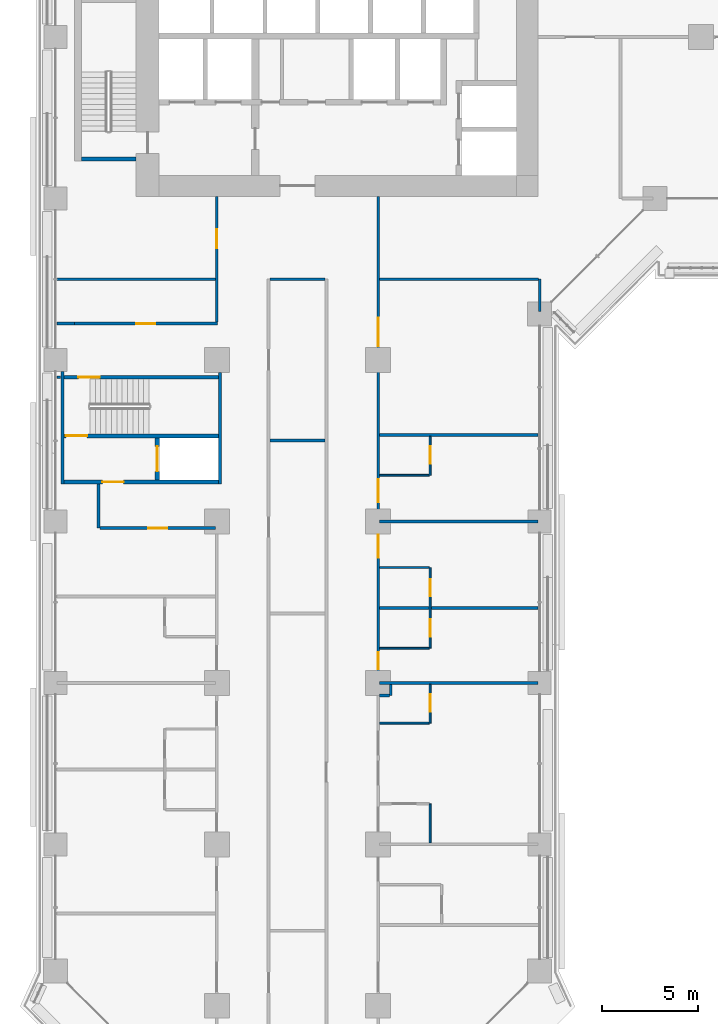
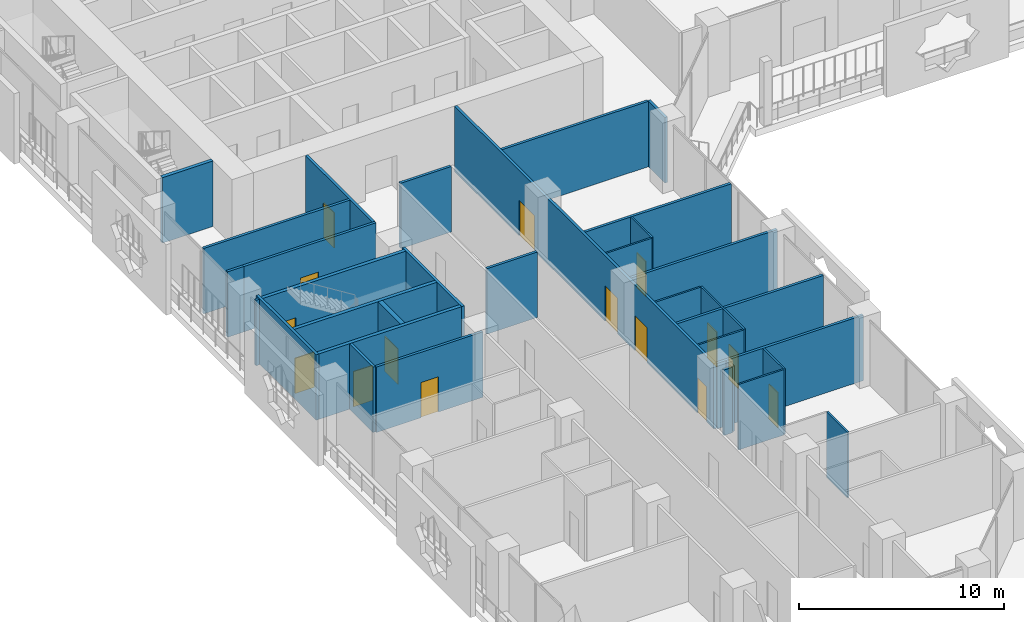
# One storey, part 14 of 27: 33 walls, 15 doors, 15 openings.
"""IFC4 building model written with IfcOpenShell, lengths in metres."""

from ifc_helpers import new_model, si_unit, direction, frame, frame_2d, origin, place, context, subcontext, project, spatial, rectangle, extrude, material, layer, layer_set, type_object, element, fill, save


model = new_model("IFC4")

# Units and contexts
model_context = context("Model", 3, precision=1e-05, world=origin(), true_north=direction((0.0, 1.0)))
body_context = subcontext(model_context, "Body", "Model", "MODEL_VIEW")
ifc_project = project(units=[si_unit("LENGTHUNIT", "METRE"), si_unit("AREAUNIT", "SQUARE_METRE"), si_unit("VOLUMEUNIT", "CUBIC_METRE"), si_unit("PLANEANGLEUNIT", "RADIAN"), si_unit("MASSUNIT", "GRAM", prefix="KILO")], contexts=[model_context])

# Site, building, storey
site_placement = place(None, origin())
site = spatial("IfcSite", under=ifc_project, at=site_placement, CompositionType="ELEMENT")
building_placement = place(site_placement, origin())
building = spatial("IfcBuilding", under=site, at=building_placement, Name="Kawkab Arch Medical Tower", CompositionType="ELEMENT")
storey_placement = place(building_placement, frame((0.0, 0.0, 85.39990234375)))
storey = spatial("IfcBuildingStorey", under=building, at=storey_placement, Name="L19", CompositionType="ELEMENT", Elevation=85.39990234375)

# Wall, opening, door
ifc_material_1 = material(Name="Concrete C60/75", Category="concrete")
ifc_layer_1 = layer(ifc_material_1, 0.25)
ifc_layer_set_1 = layer_set([ifc_layer_1], Name="Concrete C60/75")
wall_type_1 = type_object("IfcWallType", Name="Core shear wall 250 C60/75", PredefinedType="SHEAR", material=ifc_layer_set_1)
wall_1_placement = place(storey_placement, frame((5.300048828125, -39.85009765625, 0.0), z_axis=(0.0, 0.0, 1.0), x_axis=(0.0, 1.0, 0.0)))
wall_1 = element("IfcWall", 1, at=wall_1_placement, inside=storey, type_object=wall_type_1, Name="L19 core shear wall", PredefinedType="SHEAR", context=body_context, shape_type="SweptSolid", body=[
    extrude(rectangle(XDim=2.2001953125, YDim=0.25, at=frame_2d((1.10009765625, 0.0))), origin(), (0.0, 0.0, 1.0), 3.900146484375),
])
opening_1_placement = place(wall_1_placement, frame((0.449951171875, 0.0, 0.0)))
opening_1 = element("IfcOpeningElement", 2, at=opening_1_placement, cuts=wall_1, Name="Opening LD2", PredefinedType="OPENING", context=body_context, shape_type="SweptSolid", body=[
    extrude(rectangle(XDim=1.300048828125, YDim=2.10009765625, at=frame_2d((0.64990234375, 1.050048828125))), frame((0.0, 0.135009765625, 0.0), z_axis=(0.0, -1.0, 0.0), x_axis=(1.0, 0.0, 0.0)), (0.0, 0.0, 1.0), 0.27001953125),
])
ifc_material_2 = material(Name="Stainless steel lift door leaf", Category="steel")
door_type_1 = type_object("IfcDoorType", Name="Lift landing door 1300", OperationType="DOUBLE_DOOR_SLIDING", PredefinedType="DOOR", material=ifc_material_2)
door_1_placement = place(opening_1_placement, origin())
door_1 = element("IfcDoor", 3, at=door_1_placement, inside=storey, type_object=door_type_1, Name="L19 Lift landing door SV2", OperationType="DOUBLE_DOOR_SLIDING", OverallHeight=2.10009765625, OverallWidth=1.300048828125, PredefinedType="DOOR", context=body_context, shape_type="SweptSolid", body=[
    extrude(rectangle(XDim=1.300048828125, YDim=2.10009765625, at=frame_2d((0.64990234375, 1.050048828125))), frame((0.0, 0.02490234375, 0.0), z_axis=(0.0, -1.0, 0.0), x_axis=(1.0, 0.0, 0.0)), (0.0, 0.0, 1.0), 0.050048828125),
])
fill(opening_1, door_1)

# Walls
ifc_material_3 = material(Name="Gypsum board partition on steel studs", Category="steel")
ifc_layer_2 = layer(ifc_material_3, 0.10009765625)
ifc_layer_set_2 = layer_set([ifc_layer_2], Name="Gypsum board partition on steel studs")
wall_type_2 = type_object("IfcWallType", Name="Partition 100", PredefinedType="PARTITIONING", material=ifc_layer_set_2)
for number, where, z_axis, x_axis, name in (
    (4, (16.875, -52.5, 0.0), (0.0, 0.0, 1.0), (1.0, 0.0, 0.0), "Partition 100 w005"),
    (5, (16.875, -48.60009765625, 0.0), (0.0, 0.0, 1.0), (1.0, 0.0, 0.0), "Partition 100 w006"),
    (6, (16.875, -44.39990234375, 0.0), (0.0, 0.0, 1.0), (1.0, 0.0, 0.0), "Partition 100 w008"),
    (7, (16.875, -39.60009765625, 0.0), (0.0, 0.0, 1.0), (1.0, 0.0, 0.0), "Partition 100 w009"),
):
    element("IfcWall", number, at=place(storey_placement, frame(where, z_axis=z_axis, x_axis=x_axis)), inside=storey, type_object=wall_type_2, Name=name, PredefinedType="PARTITIONING", context=body_context, shape_type="SweptSolid", body=[
        extrude(rectangle(XDim=2.574951171875, YDim=0.10009765625, at=frame_2d((1.28759765625, 0.0))), origin(), (0.0, 0.0, 1.0), 3.900146484375),
    ])
wall_2_placement = place(storey_placement, frame((19.5, -58.72509765625, 0.0), z_axis=(0.0, 0.0, 1.0), x_axis=(0.0, 1.0, 0.0)))
element("IfcWall", 8, at=wall_2_placement, inside=storey, type_object=wall_type_2, Name="Partition 100 w022", PredefinedType="PARTITIONING", context=body_context, shape_type="SweptSolid", body=[
    extrude(rectangle(XDim=2.025146484375, YDim=0.10009765625, at=frame_2d((1.0126953125, 0.0))), origin(), (0.0, 0.0, 1.0), 3.900146484375),
])

# Wall, opening, door
wall_3_placement = place(storey_placement, frame((19.5, -52.5, 0.0), z_axis=(0.0, 0.0, 1.0), x_axis=(0.0, 1.0, 0.0)))
wall_3 = element("IfcWall", 9, at=wall_3_placement, inside=storey, type_object=wall_type_2, Name="Partition 100 w023", PredefinedType="PARTITIONING", context=body_context, shape_type="SweptSolid", body=[
    extrude(rectangle(XDim=2.02490234375, YDim=0.10009765625, at=frame_2d((1.012451171875, 0.0))), origin(), (0.0, 0.0, 1.0), 3.900146484375),
])
opening_2_placement = place(wall_3_placement, frame((0.60009765625, 0.0, 0.0)))
opening_2 = element("IfcOpeningElement", 10, at=opening_2_placement, cuts=wall_3, Name="Opening W15B-026", PredefinedType="OPENING", context=body_context, shape_type="SweptSolid", body=[
    extrude(rectangle(XDim=0.89990234375, YDim=2.10009765625, at=frame_2d((0.449951171875, 1.050048828125))), frame((0.0, 0.06005859375, 0.0), z_axis=(0.0, -1.0, 0.0), x_axis=(1.0, 0.0, 0.0)), (0.0, 0.0, 1.0), 0.1201171875),
])
ifc_material_4 = material(Name="Timber door leaf", Category="wood")
door_type_2 = type_object("IfcDoorType", Name="Single door 900x2100", OperationType="NOTDEFINED", PredefinedType="DOOR", material=ifc_material_4)
door_2_placement = place(opening_2_placement, origin())
door_2 = element("IfcDoor", 11, at=door_2_placement, inside=storey, type_object=door_type_2, Name="Door W15B-026", OperationType="SINGLE_SWING_RIGHT", OverallHeight=2.10009765625, OverallWidth=0.89990234375, PredefinedType="DOOR", context=body_context, shape_type="SweptSolid", body=[
    extrude(rectangle(XDim=0.89990234375, YDim=2.10009765625, at=frame_2d((0.449951171875, 1.050048828125))), frame((0.0, 0.02490234375, 0.0), z_axis=(0.0, -1.0, 0.0), x_axis=(1.0, 0.0, 0.0)), (0.0, 0.0, 1.0), 0.050048828125),
])
fill(opening_2, door_2)

# Wall, openings, doors
wall_4_placement = place(storey_placement, frame((19.5, -48.60009765625, 0.0), z_axis=(0.0, 0.0, 1.0), x_axis=(0.0, 1.0, 0.0)))
wall_4 = element("IfcWall", 12, at=wall_4_placement, inside=storey, type_object=wall_type_2, Name="Partition 100 w024", PredefinedType="PARTITIONING", context=body_context, shape_type="SweptSolid", body=[
    extrude(rectangle(XDim=4.2001953125, YDim=0.10009765625, at=frame_2d((2.10009765625, 0.0))), origin(), (0.0, 0.0, 1.0), 3.900146484375),
])
opening_3_placement = place(wall_4_placement, frame((2.699951171875, 0.0, 0.0)))
opening_3 = element("IfcOpeningElement", 13, at=opening_3_placement, cuts=wall_4, Name="Opening W15B-024", PredefinedType="OPENING", context=body_context, shape_type="SweptSolid", body=[
    extrude(rectangle(XDim=0.89990234375, YDim=2.10009765625, at=frame_2d((0.449951171875, 1.050048828125))), frame((0.0, 0.06005859375, 0.0), z_axis=(0.0, -1.0, 0.0), x_axis=(1.0, 0.0, 0.0)), (0.0, 0.0, 1.0), 0.1201171875),
])
opening_4_placement = place(wall_4_placement, frame((0.60009765625, 0.0, 0.0)))
opening_4 = element("IfcOpeningElement", 14, at=opening_4_placement, cuts=wall_4, Name="Opening W15B-025", PredefinedType="OPENING", context=body_context, shape_type="SweptSolid", body=[
    extrude(rectangle(XDim=0.89990234375, YDim=2.10009765625, at=frame_2d((0.449951171875, 1.050048828125))), frame((0.0, 0.06005859375, 0.0), z_axis=(0.0, -1.0, 0.0), x_axis=(1.0, 0.0, 0.0)), (0.0, 0.0, 1.0), 0.1201171875),
])
door_3_placement = place(opening_3_placement, origin())
door_3 = element("IfcDoor", 15, at=door_3_placement, inside=storey, type_object=door_type_2, Name="Door W15B-024", OperationType="SINGLE_SWING_LEFT", OverallHeight=2.10009765625, OverallWidth=0.89990234375, PredefinedType="DOOR", context=body_context, shape_type="SweptSolid", body=[
    extrude(rectangle(XDim=0.89990234375, YDim=2.10009765625, at=frame_2d((0.449951171875, 1.050048828125))), frame((0.0, 0.02490234375, 0.0), z_axis=(0.0, -1.0, 0.0), x_axis=(1.0, 0.0, 0.0)), (0.0, 0.0, 1.0), 0.050048828125),
])
fill(opening_3, door_3)
door_4_placement = place(opening_4_placement, origin())
door_4 = element("IfcDoor", 16, at=door_4_placement, inside=storey, type_object=door_type_2, Name="Door W15B-025", OperationType="SINGLE_SWING_RIGHT", OverallHeight=2.10009765625, OverallWidth=0.89990234375, PredefinedType="DOOR", context=body_context, shape_type="SweptSolid", body=[
    extrude(rectangle(XDim=0.89990234375, YDim=2.10009765625, at=frame_2d((0.449951171875, 1.050048828125))), frame((0.0, 0.02490234375, 0.0), z_axis=(0.0, -1.0, 0.0), x_axis=(1.0, 0.0, 0.0)), (0.0, 0.0, 1.0), 0.050048828125),
])
fill(opening_4, door_4)

# Wall, opening, door
wall_5_placement = place(storey_placement, frame((19.5, -39.60009765625, 0.0), z_axis=(0.0, 0.0, 1.0), x_axis=(0.0, 1.0, 0.0)))
wall_5 = element("IfcWall", 17, at=wall_5_placement, inside=storey, type_object=wall_type_2, Name="Partition 100 w025", PredefinedType="PARTITIONING", context=body_context, shape_type="SweptSolid", body=[
    extrude(rectangle(XDim=2.025146484375, YDim=0.10009765625, at=frame_2d((1.0126953125, 0.0))), origin(), (0.0, 0.0, 1.0), 3.900146484375),
])
opening_5_placement = place(wall_5_placement, frame((0.60009765625, 0.0, 0.0)))
opening_5 = element("IfcOpeningElement", 18, at=opening_5_placement, cuts=wall_5, Name="Opening W15B-023", PredefinedType="OPENING", context=body_context, shape_type="SweptSolid", body=[
    extrude(rectangle(XDim=0.89990234375, YDim=2.10009765625, at=frame_2d((0.449951171875, 1.050048828125))), frame((0.0, 0.06005859375, 0.0), z_axis=(0.0, -1.0, 0.0), x_axis=(1.0, 0.0, 0.0)), (0.0, 0.0, 1.0), 0.1201171875),
])
door_5_placement = place(opening_5_placement, origin())
door_5 = element("IfcDoor", 19, at=door_5_placement, inside=storey, type_object=door_type_2, Name="Door W15B-023", OperationType="SINGLE_SWING_LEFT", OverallHeight=2.10009765625, OverallWidth=0.89990234375, PredefinedType="DOOR", context=body_context, shape_type="SweptSolid", body=[
    extrude(rectangle(XDim=0.89990234375, YDim=2.10009765625, at=frame_2d((0.449951171875, 1.050048828125))), frame((0.0, 0.02490234375, 0.0), z_axis=(0.0, -1.0, 0.0), x_axis=(1.0, 0.0, 0.0)), (0.0, 0.0, 1.0), 0.050048828125),
])
fill(opening_5, door_5)

# Walls
ifc_material_5 = material(Name="Gypsum board partition on steel studs, mineral wool", Category="steel")
ifc_layer_3 = layer(ifc_material_5, 0.14990234375)
ifc_layer_set_3 = layer_set([ifc_layer_3], Name="Gypsum board partition on steel studs, mineral wool")
wall_type_3 = type_object("IfcWallType", Name="Partition 150", PredefinedType="PARTITIONING", material=ifc_layer_set_3)
wall_6_placement = place(storey_placement, frame((16.876953125, -51.050048828125, 0.0), z_axis=(0.0, 0.0, 1.0), x_axis=(1.0, 0.0, 0.0)))
element("IfcWall", 20, at=wall_6_placement, inside=storey, type_object=wall_type_3, Name="Partition 150 w045", PredefinedType="PARTITIONING", context=body_context, shape_type="SweptSolid", body=[
    extrude(rectangle(XDim=0.498046875, YDim=0.14990234375, at=frame_2d((0.2490234375, 0.0))), origin(), (0.0, 0.0, 1.0), 3.900146484375),
])
wall_7_placement = place(storey_placement, frame((16.876953125, -50.39990234375, 0.0), z_axis=(0.0, 0.0, 1.0), x_axis=(1.0, 0.0, 0.0)))
element("IfcWall", 21, at=wall_7_placement, inside=storey, type_object=wall_type_3, Name="Partition 150 w047", PredefinedType="PARTITIONING", context=body_context, shape_type="SweptSolid", body=[
    extrude(rectangle(XDim=8.2431640625, YDim=0.14990234375, at=frame_2d((4.12158203125, 0.0))), origin(), (0.0, 0.0, 1.0), 3.900146484375),
])
wall_8_placement = place(storey_placement, frame((16.875, -46.5, 0.0), z_axis=(0.0, 0.0, 1.0), x_axis=(1.0, 0.0, 0.0)))
element("IfcWall", 22, at=wall_8_placement, inside=storey, type_object=wall_type_3, Name="Partition 150 w049", PredefinedType="PARTITIONING", context=body_context, shape_type="SweptSolid", body=[
    extrude(rectangle(XDim=8.2451171875, YDim=0.14990234375, at=frame_2d((4.12255859375, 0.0))), origin(), (0.0, 0.0, 1.0), 3.900146484375),
])

# Wall, opening, door
wall_9_placement = place(storey_placement, frame((2.326904296875, -42.35009765625, 0.0), z_axis=(0.0, 0.0, 1.0), x_axis=(1.0, 0.0, 0.0)))
wall_9 = element("IfcWall", 23, at=wall_9_placement, inside=storey, type_object=wall_type_3, Name="Partition 150 w051", PredefinedType="PARTITIONING", context=body_context, shape_type="SweptSolid", body=[
    extrude(rectangle(XDim=5.998046875, YDim=0.14990234375, at=frame_2d((2.9990234375, 0.0))), origin(), (0.0, 0.0, 1.0), 3.900146484375),
])
opening_6_placement = place(wall_9_placement, frame((2.4990234375, 0.0, 0.0)))
opening_6 = element("IfcOpeningElement", 24, at=opening_6_placement, cuts=wall_9, Name="Opening W15B-040", PredefinedType="OPENING", context=body_context, shape_type="SweptSolid", body=[
    extrude(rectangle(XDim=1.0, YDim=2.10009765625, at=frame_2d((0.5, 1.050048828125))), frame((0.0, 0.0849609375, 0.0), z_axis=(0.0, -1.0, 0.0), x_axis=(1.0, 0.0, 0.0)), (0.0, 0.0, 1.0), 0.169921875),
])
ifc_material_6 = material(Name="Hollow metal door leaf")
door_type_3 = type_object("IfcDoorType", Name="Single door 1000x2100 FD30S", OperationType="NOTDEFINED", PredefinedType="DOOR", material=ifc_material_6)
door_6_placement = place(opening_6_placement, origin())
door_6 = element("IfcDoor", 25, at=door_6_placement, inside=storey, type_object=door_type_3, Name="Door W15B-040", OperationType="SINGLE_SWING_RIGHT", OverallHeight=2.10009765625, OverallWidth=1.0, PredefinedType="DOOR", context=body_context, shape_type="SweptSolid", body=[
    extrude(rectangle(XDim=1.0, YDim=2.10009765625, at=frame_2d((0.5, 1.050048828125))), frame((0.0, 0.02490234375, 0.0), z_axis=(0.0, -1.0, 0.0), x_axis=(1.0, 0.0, 0.0)), (0.0, 0.0, 1.0), 0.050048828125),
])
fill(opening_6, door_6)

# Walls
wall_10_placement = place(storey_placement, frame((16.875, -42.0, 0.0), z_axis=(0.0, 0.0, 1.0), x_axis=(1.0, 0.0, 0.0)))
element("IfcWall", 26, at=wall_10_placement, inside=storey, type_object=wall_type_3, Name="Partition 150 w052", PredefinedType="PARTITIONING", context=body_context, shape_type="SweptSolid", body=[
    extrude(rectangle(XDim=8.2451171875, YDim=0.14990234375, at=frame_2d((4.12255859375, 0.0))), origin(), (0.0, 0.0, 1.0), 3.900146484375),
])
wall_11_placement = place(storey_placement, frame((11.175048828125, -37.800048828125, 0.0), z_axis=(0.0, 0.0, 1.0), x_axis=(1.0, 0.0, 0.0)))
element("IfcWall", 27, at=wall_11_placement, inside=storey, type_object=wall_type_3, Name="Partition 150 w053", PredefinedType="PARTITIONING", context=body_context, shape_type="SweptSolid", body=[
    extrude(rectangle(XDim=2.849853515625, YDim=0.14990234375, at=frame_2d((1.4248046875, 0.0))), origin(), (0.0, 0.0, 1.0), 3.900146484375),
])
wall_12_placement = place(storey_placement, frame((16.875, -37.5, 0.0), z_axis=(0.0, 0.0, 1.0), x_axis=(1.0, 0.0, 0.0)))
element("IfcWall", 28, at=wall_12_placement, inside=storey, type_object=wall_type_3, Name="Partition 150 w054", PredefinedType="PARTITIONING", context=body_context, shape_type="SweptSolid", body=[
    extrude(rectangle(XDim=8.2451171875, YDim=0.14990234375, at=frame_2d((4.12255859375, 0.0))), origin(), (0.0, 0.0, 1.0), 3.900146484375),
])
wall_13_placement = place(storey_placement, frame((0.080078125, -34.5, 0.0), z_axis=(0.0, 0.0, 1.0), x_axis=(1.0, 0.0, 0.0)))
element("IfcWall", 29, at=wall_13_placement, inside=storey, type_object=wall_type_3, Name="Partition 150 w055", PredefinedType="PARTITIONING", context=body_context, shape_type="SweptSolid", body=[
    extrude(rectangle(XDim=0.18994140625, YDim=0.14990234375, at=frame_2d((0.094970703125, 0.0))), origin(), (0.0, 0.0, 1.0), 3.900146484375),
])
wall_14_placement = place(storey_placement, frame((0.080078125, -31.70703125, 0.0), z_axis=(0.0, 0.0, 1.0), x_axis=(1.0, 0.0, 0.0)))
element("IfcWall", 30, at=wall_14_placement, inside=storey, type_object=wall_type_3, Name="Partition 150 w056", PredefinedType="PARTITIONING", context=body_context, shape_type="SweptSolid", body=[
    extrude(rectangle(XDim=0.919921875, YDim=0.14990234375, at=frame_2d((0.4599609375, 0.0))), origin(), (0.0, 0.0, 1.0), 3.900146484375),
])

# Wall, opening, door
wall_15_placement = place(storey_placement, frame((1.001953125, -31.70703125, 0.0), z_axis=(0.0, 0.0, 1.0), x_axis=(1.0, 0.0, 0.0)))
wall_15 = element("IfcWall", 31, at=wall_15_placement, inside=storey, type_object=wall_type_3, Name="Partition 150 w057", PredefinedType="PARTITIONING", context=body_context, shape_type="SweptSolid", body=[
    extrude(rectangle(XDim=7.447998046875, YDim=0.14990234375, at=frame_2d((3.72412109375, 0.0))), origin(), (0.0, 0.0, 1.0), 3.900146484375),
])
opening_7_placement = place(wall_15_placement, frame((3.198974609375, 0.0, 0.0)))
opening_7 = element("IfcOpeningElement", 32, at=opening_7_placement, cuts=wall_15, Name="Opening W15B-039", PredefinedType="OPENING", context=body_context, shape_type="SweptSolid", body=[
    extrude(rectangle(XDim=1.0, YDim=2.10009765625, at=frame_2d((0.5, 1.050048828125))), frame((0.0, 0.0849609375, 0.0), z_axis=(0.0, -1.0, 0.0), x_axis=(1.0, 0.0, 0.0)), (0.0, 0.0, 1.0), 0.169921875),
])
door_7_placement = place(opening_7_placement, origin())
door_7 = element("IfcDoor", 33, at=door_7_placement, inside=storey, type_object=door_type_3, Name="Door W15B-039", OperationType="SINGLE_SWING_RIGHT", OverallHeight=2.10009765625, OverallWidth=1.0, PredefinedType="DOOR", context=body_context, shape_type="SweptSolid", body=[
    extrude(rectangle(XDim=1.0, YDim=2.10009765625, at=frame_2d((0.5, 1.050048828125))), frame((0.0, 0.02490234375, 0.0), z_axis=(0.0, -1.0, 0.0), x_axis=(1.0, 0.0, 0.0)), (0.0, 0.0, 1.0), 0.050048828125),
])
fill(opening_7, door_7)

# Walls
wall_16_placement = place(storey_placement, frame((0.080078125, -29.39990234375, 0.0), z_axis=(0.0, 0.0, 1.0), x_axis=(1.0, 0.0, 0.0)))
element("IfcWall", 34, at=wall_16_placement, inside=storey, type_object=wall_type_3, Name="Partition 150 w058", PredefinedType="PARTITIONING", context=body_context, shape_type="SweptSolid", body=[
    extrude(rectangle(XDim=8.244873046875, YDim=0.14990234375, at=frame_2d((4.12255859375, 0.0))), origin(), (0.0, 0.0, 1.0), 3.900146484375),
])
wall_17_placement = place(storey_placement, frame((11.175048828125, -29.39990234375, 0.0), z_axis=(0.0, 0.0, 1.0), x_axis=(1.0, 0.0, 0.0)))
element("IfcWall", 35, at=wall_17_placement, inside=storey, type_object=wall_type_3, Name="Partition 150 w059", PredefinedType="PARTITIONING", context=body_context, shape_type="SweptSolid", body=[
    extrude(rectangle(XDim=2.849853515625, YDim=0.14990234375, at=frame_2d((1.4248046875, 0.0))), origin(), (0.0, 0.0, 1.0), 3.900146484375),
])
wall_18_placement = place(storey_placement, frame((16.875, -29.39990234375, 0.0), z_axis=(0.0, 0.0, 1.0), x_axis=(1.0, 0.0, 0.0)))
element("IfcWall", 36, at=wall_18_placement, inside=storey, type_object=wall_type_3, Name="Partition 150 w060", PredefinedType="PARTITIONING", context=body_context, shape_type="SweptSolid", body=[
    extrude(rectangle(XDim=8.25, YDim=0.14990234375, at=frame_2d((4.125, 0.0))), origin(), (0.0, 0.0, 1.0), 3.900146484375),
])
wall_19_placement = place(storey_placement, frame((2.25, -42.347900390625, 0.0), z_axis=(0.0, 0.0, 1.0), x_axis=(0.0, 1.0, 0.0)))
element("IfcWall", 37, at=wall_19_placement, inside=storey, type_object=wall_type_3, Name="Partition 150 w070", PredefinedType="PARTITIONING", context=body_context, shape_type="SweptSolid", body=[
    extrude(rectangle(XDim=2.2978515625, YDim=0.14990234375, at=frame_2d((1.14892578125, 0.0))), origin(), (0.0, 0.0, 1.0), 3.900146484375),
])

# Wall, opening, door
wall_20_placement = place(storey_placement, frame((8.39990234375, -31.632080078125, 0.0), z_axis=(0.0, 0.0, 1.0), x_axis=(0.0, 1.0, 0.0)))
wall_20 = element("IfcWall", 38, at=wall_20_placement, inside=storey, type_object=wall_type_3, Name="Partition 150 w072", PredefinedType="PARTITIONING", context=body_context, shape_type="SweptSolid", body=[
    extrude(rectangle(XDim=6.531982421875, YDim=0.14990234375, at=frame_2d((3.26611328125, 0.0))), origin(), (0.0, 0.0, 1.0), 3.900146484375),
])
opening_8_placement = place(wall_20_placement, frame((3.83203125, 0.0, 0.0)))
opening_8 = element("IfcOpeningElement", 39, at=opening_8_placement, cuts=wall_20, Name="Opening W15B-038", PredefinedType="OPENING", context=body_context, shape_type="SweptSolid", body=[
    extrude(rectangle(XDim=1.0, YDim=2.10009765625, at=frame_2d((0.5, 1.050048828125))), frame((0.0, 0.0849609375, 0.0), z_axis=(0.0, -1.0, 0.0), x_axis=(1.0, 0.0, 0.0)), (0.0, 0.0, 1.0), 0.169921875),
])
door_8_placement = place(opening_8_placement, origin())
door_8 = element("IfcDoor", 40, at=door_8_placement, inside=storey, type_object=door_type_3, Name="Door W15B-038", OperationType="SINGLE_SWING_RIGHT", OverallHeight=2.10009765625, OverallWidth=1.0, PredefinedType="DOOR", context=body_context, shape_type="SweptSolid", body=[
    extrude(rectangle(XDim=1.0, YDim=2.10009765625, at=frame_2d((0.5, 1.050048828125))), frame((0.0, 0.02490234375, 0.0), z_axis=(0.0, -1.0, 0.0), x_axis=(1.0, 0.0, 0.0)), (0.0, 0.0, 1.0), 0.050048828125),
])
fill(opening_8, door_8)

# Wall, openings, doors
wall_21_placement = place(storey_placement, frame((16.800048828125, -50.39794921875, 0.0), z_axis=(0.0, 0.0, 1.0), x_axis=(0.0, 1.0, 0.0)))
wall_21 = element("IfcWall", 41, at=wall_21_placement, inside=storey, type_object=wall_type_3, Name="Partition 150 w076", PredefinedType="PARTITIONING", context=body_context, shape_type="SweptSolid", body=[
    extrude(rectangle(XDim=25.2978515625, YDim=0.14990234375, at=frame_2d((12.64892578125, 0.0))), origin(), (0.0, 0.0, 1.0), 3.900146484375),
])
opening_9_placement = place(wall_21_placement, frame((17.498046875, 0.0, 0.0)))
opening_9 = element("IfcOpeningElement", 42, at=opening_9_placement, cuts=wall_21, Name="Opening W15B-007", PredefinedType="OPENING", context=body_context, shape_type="SweptSolid", body=[
    extrude(rectangle(XDim=1.5, YDim=2.10009765625, at=frame_2d((0.75, 1.050048828125))), frame((0.0, 0.0849609375, 0.0), z_axis=(0.0, -1.0, 0.0), x_axis=(1.0, 0.0, 0.0)), (0.0, 0.0, 1.0), 0.169921875),
])
opening_10_placement = place(wall_21_placement, frame((9.39794921875, 0.0, 0.0)))
opening_10 = element("IfcOpeningElement", 43, at=opening_10_placement, cuts=wall_21, Name="Opening W15B-063", PredefinedType="OPENING", context=body_context, shape_type="SweptSolid", body=[
    extrude(rectangle(XDim=1.199951171875, YDim=2.10009765625, at=frame_2d((0.60009765625, 1.050048828125))), frame((0.0, 0.0849609375, 0.0), z_axis=(0.0, -1.0, 0.0), x_axis=(1.0, 0.0, 0.0)), (0.0, 0.0, 1.0), 0.169921875),
])
opening_11_placement = place(wall_21_placement, frame((6.498046875, 0.0, 0.0)))
opening_11 = element("IfcOpeningElement", 44, at=opening_11_placement, cuts=wall_21, Name="Opening W15B-064", PredefinedType="OPENING", context=body_context, shape_type="SweptSolid", body=[
    extrude(rectangle(XDim=1.199951171875, YDim=2.10009765625, at=frame_2d((0.60009765625, 1.050048828125))), frame((0.0, 0.0849609375, 0.0), z_axis=(0.0, -1.0, 0.0), x_axis=(1.0, 0.0, 0.0)), (0.0, 0.0, 1.0), 0.169921875),
])
opening_12_placement = place(wall_21_placement, frame((0.697998046875, 0.0, 0.0)))
opening_12 = element("IfcOpeningElement", 45, at=opening_12_placement, cuts=wall_21, Name="Opening W15B-030", PredefinedType="OPENING", context=body_context, shape_type="SweptSolid", body=[
    extrude(rectangle(XDim=0.89990234375, YDim=2.10009765625, at=frame_2d((0.449951171875, 1.050048828125))), frame((0.0, 0.0849609375, 0.0), z_axis=(0.0, -1.0, 0.0), x_axis=(1.0, 0.0, 0.0)), (0.0, 0.0, 1.0), 0.169921875),
])
ifc_material_7 = material(Name="Hollow metal door leaf")
door_type_4 = type_object("IfcDoorType", Name="Double door 1500x2100 FD30S", OperationType="NOTDEFINED", PredefinedType="DOOR", material=ifc_material_7)
door_9_placement = place(opening_9_placement, origin())
door_9 = element("IfcDoor", 46, at=door_9_placement, inside=storey, type_object=door_type_4, Name="Door W15B-007", OperationType="DOUBLE_DOOR_SINGLE_SWING", OverallHeight=2.10009765625, OverallWidth=1.5, PredefinedType="DOOR", context=body_context, shape_type="SweptSolid", body=[
    extrude(rectangle(XDim=1.5, YDim=2.10009765625, at=frame_2d((0.75, 1.050048828125))), frame((0.0, 0.02490234375, 0.0), z_axis=(0.0, -1.0, 0.0), x_axis=(1.0, 0.0, 0.0)), (0.0, 0.0, 1.0), 0.050048828125),
])
fill(opening_9, door_9)
ifc_material_8 = material(Name="Hollow metal door leaf")
door_type_5 = type_object("IfcDoorType", Name="Single door 1200x2100 FD30S", OperationType="NOTDEFINED", PredefinedType="DOOR", material=ifc_material_8)
door_10_placement = place(opening_10_placement, origin())
door_10 = element("IfcDoor", 47, at=door_10_placement, inside=storey, type_object=door_type_5, Name="Door W15B-063", OperationType="SINGLE_SWING_RIGHT", OverallHeight=2.10009765625, OverallWidth=1.199951171875, PredefinedType="DOOR", context=body_context, shape_type="SweptSolid", body=[
    extrude(rectangle(XDim=1.199951171875, YDim=2.10009765625, at=frame_2d((0.60009765625, 1.050048828125))), frame((0.0, 0.02490234375, 0.0), z_axis=(0.0, -1.0, 0.0), x_axis=(1.0, 0.0, 0.0)), (0.0, 0.0, 1.0), 0.050048828125),
])
fill(opening_10, door_10)
door_11_placement = place(opening_11_placement, origin())
door_11 = element("IfcDoor", 48, at=door_11_placement, inside=storey, type_object=door_type_5, Name="Door W15B-064", OperationType="SINGLE_SWING_RIGHT", OverallHeight=2.10009765625, OverallWidth=1.199951171875, PredefinedType="DOOR", context=body_context, shape_type="SweptSolid", body=[
    extrude(rectangle(XDim=1.199951171875, YDim=2.10009765625, at=frame_2d((0.60009765625, 1.050048828125))), frame((0.0, 0.02490234375, 0.0), z_axis=(0.0, -1.0, 0.0), x_axis=(1.0, 0.0, 0.0)), (0.0, 0.0, 1.0), 0.050048828125),
])
fill(opening_11, door_11)
ifc_material_9 = material(Name="Hollow metal door leaf")
door_type_6 = type_object("IfcDoorType", Name="Single door 900x2100 FD30S", OperationType="NOTDEFINED", PredefinedType="DOOR", material=ifc_material_9)
door_12_placement = place(opening_12_placement, origin())
door_12 = element("IfcDoor", 49, at=door_12_placement, inside=storey, type_object=door_type_6, Name="Door W15B-030", OperationType="SINGLE_SWING_RIGHT", OverallHeight=2.10009765625, OverallWidth=0.89990234375, PredefinedType="DOOR", context=body_context, shape_type="SweptSolid", body=[
    extrude(rectangle(XDim=0.89990234375, YDim=2.10009765625, at=frame_2d((0.449951171875, 1.050048828125))), frame((0.0, 0.02490234375, 0.0), z_axis=(0.0, -1.0, 0.0), x_axis=(1.0, 0.0, 0.0)), (0.0, 0.0, 1.0), 0.050048828125),
])
fill(opening_12, door_12)

# Walls
wall_22_placement = place(storey_placement, frame((17.449951171875, -51.050048828125, 0.0), z_axis=(0.0, 0.0, 1.0), x_axis=(0.0, 1.0, 0.0)))
element("IfcWall", 50, at=wall_22_placement, inside=storey, type_object=wall_type_3, Name="Partition 150 w077", PredefinedType="PARTITIONING", context=body_context, shape_type="SweptSolid", body=[
    extrude(rectangle(XDim=0.574951171875, YDim=0.14990234375, at=frame_2d((0.28759765625, 0.0))), origin(), (0.0, 0.0, 1.0), 3.900146484375),
])
wall_23_placement = place(storey_placement, frame((25.199951171875, -31.0869140625, 0.0), z_axis=(0.0, 0.0, 1.0), x_axis=(0.0, 1.0, 0.0)))
element("IfcWall", 51, at=wall_23_placement, inside=storey, type_object=wall_type_3, Name="Partition 150 w078", PredefinedType="PARTITIONING", context=body_context, shape_type="SweptSolid", body=[
    extrude(rectangle(XDim=1.68701171875, YDim=0.14990234375, at=frame_2d((0.843505859375, 0.0))), origin(), (0.0, 0.0, 1.0), 3.900146484375),
])
ifc_material_10 = material(Name="Concrete C50/60", Category="concrete")
ifc_layer_4 = layer(ifc_material_10, 0.14990234375)
ifc_layer_set_4 = layer_set([ifc_layer_4], Name="Concrete C50/60")
wall_type_4 = type_object("IfcWallType", Name="Stair enclosure wall 150 C50/60", PredefinedType="SHEAR", material=ifc_layer_set_4)
wall_24_placement = place(storey_placement, frame((0.375, -40.050048828125, 0.0), z_axis=(0.0, 0.0, 1.0), x_axis=(0.0, 1.0, 0.0)))
element("IfcWall", 52, at=wall_24_placement, inside=storey, type_object=wall_type_4, Name="L19 stair enclosure wall", PredefinedType="SHEAR", context=body_context, shape_type="SweptSolid", body=[
    extrude(rectangle(XDim=5.85009765625, YDim=0.14990234375, at=frame_2d((2.925048828125, 0.0))), origin(), (0.0, 0.0, 1.0), 3.900146484375),
])
wall_25_placement = place(storey_placement, frame((8.574951171875, -40.050048828125, 0.0), z_axis=(0.0, 0.0, 1.0), x_axis=(0.0, 1.0, 0.0)))
element("IfcWall", 53, at=wall_25_placement, inside=storey, type_object=wall_type_4, Name="L19 stair enclosure wall", PredefinedType="SHEAR", context=body_context, shape_type="SweptSolid", body=[
    extrude(rectangle(XDim=5.800048828125, YDim=0.14990234375, at=frame_2d((2.89990234375, 0.0))), origin(), (0.0, 0.0, 1.0), 3.900146484375),
])
ifc_material_11 = material(Name="Concrete C50/60", Category="concrete")
ifc_layer_5 = layer(ifc_material_11, 0.199951171875)
ifc_layer_set_5 = layer_set([ifc_layer_5], Name="Concrete C50/60")
wall_type_5 = type_object("IfcWallType", Name="Stair enclosure wall 200 C50/60", PredefinedType="SHEAR", material=ifc_layer_set_5)
wall_26_placement = place(storey_placement, frame((1.35009765625, -23.14990234375, 0.0), z_axis=(0.0, 0.0, 1.0), x_axis=(1.0, 0.0, 0.0)))
element("IfcWall", 54, at=wall_26_placement, inside=storey, type_object=wall_type_5, Name="L19 stair enclosure wall", PredefinedType="SHEAR", context=body_context, shape_type="SweptSolid", body=[
    extrude(rectangle(XDim=2.849853515625, YDim=0.199951171875, at=frame_2d((1.4248046875, 0.0))), origin(), (0.0, 0.0, 1.0), 3.900146484375),
])

# Wall, opening, door
wall_27_placement = place(storey_placement, frame((0.449951171875, -34.5, 0.0), z_axis=(0.0, 0.0, 1.0), x_axis=(1.0, 0.0, 0.0)))
wall_27 = element("IfcWall", 55, at=wall_27_placement, inside=storey, type_object=wall_type_5, Name="L19 stair enclosure wall", PredefinedType="SHEAR", context=body_context, shape_type="SweptSolid", body=[
    extrude(rectangle(XDim=8.050048828125, YDim=0.199951171875, at=frame_2d((4.02490234375, 0.0))), origin(), (0.0, 0.0, 1.0), 3.900146484375),
])
opening_13_placement = place(wall_27_placement, frame((0.75, 0.0, 0.0)))
opening_13 = element("IfcOpeningElement", 56, at=opening_13_placement, cuts=wall_27, Name="Opening SD", PredefinedType="OPENING", context=body_context, shape_type="SweptSolid", body=[
    extrude(rectangle(XDim=1.10009765625, YDim=2.10009765625, at=frame_2d((0.550048828125, 1.050048828125))), frame((0.0, 0.10986328125, 0.0), z_axis=(0.0, -1.0, 0.0), x_axis=(1.0, 0.0, 0.0)), (0.0, 0.0, 1.0), 0.219970703125),
])
ifc_material_12 = material(Name="Hollow metal fire door leaf")
door_type_7 = type_object("IfcDoorType", Name="Exit stair door 1100", OperationType="SINGLE_SWING_LEFT", PredefinedType="DOOR", material=ifc_material_12)
door_13_placement = place(opening_13_placement, origin())
door_13 = element("IfcDoor", 57, at=door_13_placement, inside=storey, type_object=door_type_7, Name="L19 Exit stair ST6 door", OperationType="SINGLE_SWING_LEFT", OverallHeight=2.10009765625, OverallWidth=1.10009765625, PredefinedType="DOOR", context=body_context, shape_type="SweptSolid", body=[
    extrude(rectangle(XDim=1.10009765625, YDim=2.10009765625, at=frame_2d((0.550048828125, 1.050048828125))), frame((0.0, 0.02490234375, 0.0), z_axis=(0.0, -1.0, 0.0), x_axis=(1.0, 0.0, 0.0)), (0.0, 0.0, 1.0), 0.050048828125),
])
fill(opening_13, door_13)

wall_28_placement = place(storey_placement, frame((0.449951171875, -37.550048828125, 0.0), z_axis=(0.0, 0.0, 1.0), x_axis=(1.0, 0.0, 0.0)))
wall_28 = element("IfcWall", 58, at=wall_28_placement, inside=storey, type_object=wall_type_5, Name="L19 stair enclosure wall", PredefinedType="SHEAR", context=body_context, shape_type="SweptSolid", body=[
    extrude(rectangle(XDim=8.050048828125, YDim=0.199951171875, at=frame_2d((4.02490234375, 0.0))), origin(), (0.0, 0.0, 1.0), 3.900146484375),
])
opening_14_placement = place(wall_28_placement, frame((0.10009765625, 0.0, 0.0)))
opening_14 = element("IfcOpeningElement", 59, at=opening_14_placement, cuts=wall_28, Name="Opening SD", PredefinedType="OPENING", context=body_context, shape_type="SweptSolid", body=[
    extrude(rectangle(XDim=1.10009765625, YDim=2.10009765625, at=frame_2d((0.550048828125, 1.050048828125))), frame((0.0, 0.10986328125, 0.0), z_axis=(0.0, -1.0, 0.0), x_axis=(1.0, 0.0, 0.0)), (0.0, 0.0, 1.0), 0.219970703125),
])
door_14_placement = place(opening_14_placement, frame((1.10009765625, 0.0, 0.0), z_axis=(0.0, 0.0, 1.0), x_axis=(-1.0, 0.0, 0.0)))
door_14 = element("IfcDoor", 60, at=door_14_placement, inside=storey, type_object=door_type_7, Name="L19 Exit stair ST6 lobby door", OperationType="SINGLE_SWING_LEFT", OverallHeight=2.10009765625, OverallWidth=1.10009765625, PredefinedType="DOOR", context=body_context, shape_type="SweptSolid", body=[
    extrude(rectangle(XDim=1.10009765625, YDim=2.10009765625, at=frame_2d((0.550048828125, 1.050048828125))), frame((0.0, 0.02490234375, 0.0), z_axis=(0.0, -1.0, 0.0), x_axis=(1.0, 0.0, 0.0)), (0.0, 0.0, 1.0), 0.050048828125),
])
fill(opening_14, door_14)

wall_29_placement = place(storey_placement, frame((0.449951171875, -39.949951171875, 0.0), z_axis=(0.0, 0.0, 1.0), x_axis=(1.0, 0.0, 0.0)))
wall_29 = element("IfcWall", 61, at=wall_29_placement, inside=storey, type_object=wall_type_5, Name="L19 stair enclosure wall", PredefinedType="SHEAR", context=body_context, shape_type="SweptSolid", body=[
    extrude(rectangle(XDim=8.050048828125, YDim=0.199951171875, at=frame_2d((4.02490234375, 0.0))), origin(), (0.0, 0.0, 1.0), 3.900146484375),
])
opening_15_placement = place(wall_29_placement, frame((2.0, 0.0, 0.0)))
opening_15 = element("IfcOpeningElement", 62, at=opening_15_placement, cuts=wall_29, Name="Opening FD", PredefinedType="OPENING", context=body_context, shape_type="SweptSolid", body=[
    extrude(rectangle(XDim=1.10009765625, YDim=2.10009765625, at=frame_2d((0.550048828125, 1.050048828125))), frame((0.0, 0.10986328125, 0.0), z_axis=(0.0, -1.0, 0.0), x_axis=(1.0, 0.0, 0.0)), (0.0, 0.0, 1.0), 0.219970703125),
])
ifc_material_13 = material(Name="Hollow metal fire door leaf")
door_type_8 = type_object("IfcDoorType", Name="Firefighting lobby door 1100", OperationType="SINGLE_SWING_LEFT", PredefinedType="DOOR", material=ifc_material_13)
door_15_placement = place(opening_15_placement, origin())
door_15 = element("IfcDoor", 63, at=door_15_placement, inside=storey, type_object=door_type_8, Name="L19 Service lift lobby door SV2", OperationType="SINGLE_SWING_LEFT", OverallHeight=2.10009765625, OverallWidth=1.10009765625, PredefinedType="DOOR", context=body_context, shape_type="SweptSolid", body=[
    extrude(rectangle(XDim=1.10009765625, YDim=2.10009765625, at=frame_2d((0.550048828125, 1.050048828125))), frame((0.0, 0.02490234375, 0.0), z_axis=(0.0, -1.0, 0.0), x_axis=(1.0, 0.0, 0.0)), (0.0, 0.0, 1.0), 0.050048828125),
])
fill(opening_15, door_15)

save(model, "model.ifc")
